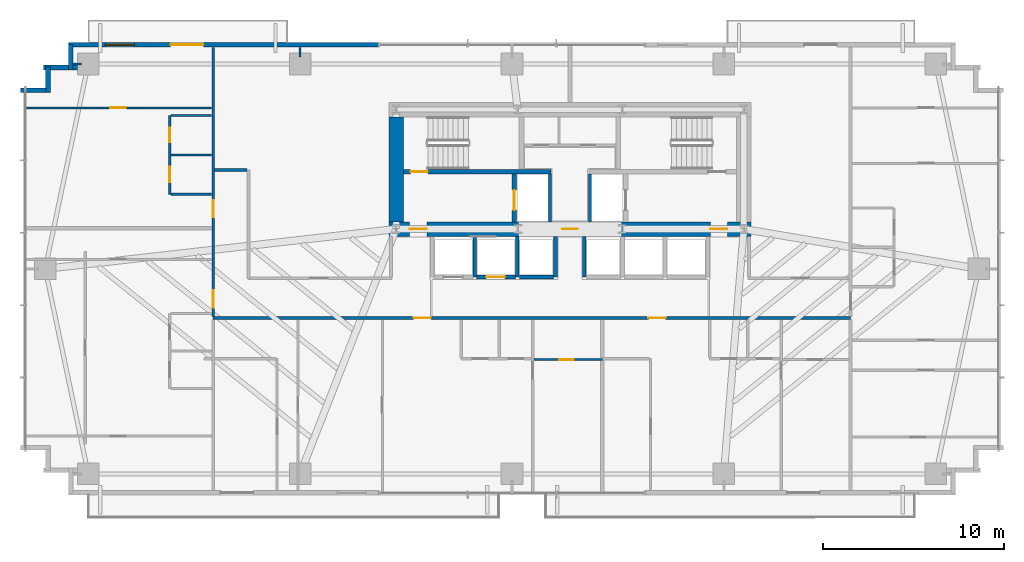
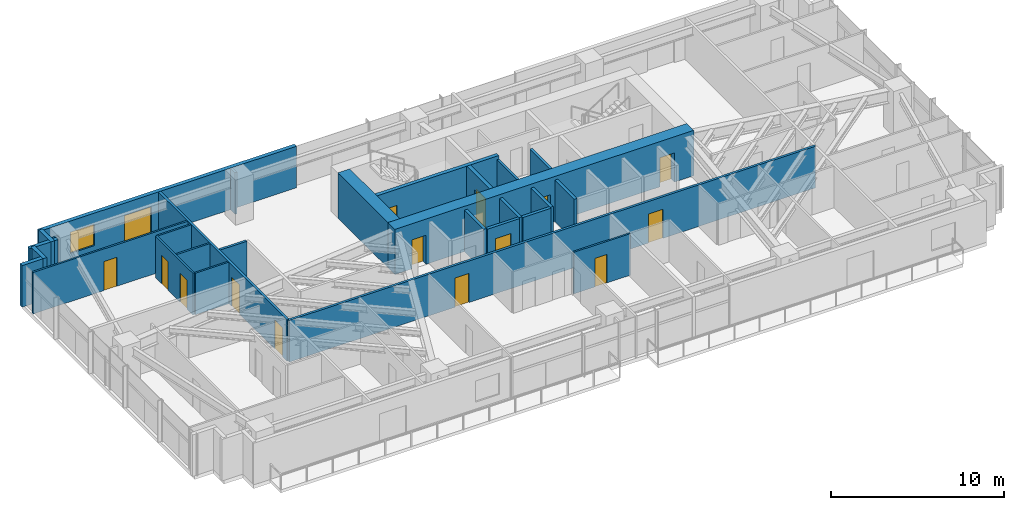
# One storey, part 20 of 25: 28 walls, 15 doors, 1 window, 16 openings.
"""IFC4 building model written with IfcOpenShell, lengths in metres."""

import ifcopenshell
import ifcopenshell.guid

model = None  # the IFC model being written
_history = None  # IfcOwnerHistory: only IFC2X3 demands one
_inside = {}  # id of a spatial element -> (the spatial element, [elements in it])
_under = {}  # id of a project, library or spatial element -> (it, [spatial elements below it])
_declared = {}  # id of a project -> (the project, [libraries it declares])
_typed = {}  # id of a type object -> (the type object, [elements of that type])
_made_of = {}  # id of a material, layer set ... -> (it, [elements and type objects made of it])


def new_model(schema):
    """Start an empty IFC model of exactly this schema.

    Asked for "IFC4X3", IfcOpenShell would pick the latest addendum, in which some entities
    have other attributes; the version numbers below select the first issue.
    IFC2X3 requires an IfcOwnerHistory on every rooted entity: one is made here for all.
    """
    global model, _history
    if schema == "IFC4X3":
        model = ifcopenshell.file(schema_version=(4, 3, 0, 0))
    else:
        model = ifcopenshell.file(schema=schema)
    _inside.clear()
    _under.clear()
    _declared.clear()
    _typed.clear()
    _made_of.clear()
    _history = None
    if model.schema == "IFC2X3":
        org = make("IfcOrganization", Name="unknown")
        user = make(
            "IfcPersonAndOrganization",
            ThePerson=make("IfcPerson", FamilyName="unknown"),
            TheOrganization=org,
        )
        app = make(
            "IfcApplication",
            ApplicationDeveloper=org,
            Version="unknown",
            ApplicationFullName="unknown",
            ApplicationIdentifier="unknown",
        )
        _history = make(
            "IfcOwnerHistory",
            OwningUser=user,
            OwningApplication=app,
            ChangeAction="ADDED",
            CreationDate=0,
        )
    return model


def make(cls, **values):
    """One entity of the class cls with the attributes given. An attribute that is None is left unset."""
    return model.create_entity(
        cls, **{name: value for name, value in values.items() if value is not None}
    )


def rooted(cls, **values):
    """An entity with a GlobalId (a new one), such as an element, a storey or a relation."""
    return make(cls, GlobalId=ifcopenshell.guid.new(), OwnerHistory=_history, **values)


def si_unit(unit_type, name, prefix=None):
    """IfcSIUnit, for example si_unit("LENGTHUNIT", "METRE", prefix="MILLI")."""
    return make("IfcSIUnit", UnitType=unit_type, Prefix=prefix, Name=name)


def assignment(units):
    """IfcUnitAssignment: the units of a project."""
    return None if units is None else make("IfcUnitAssignment", Units=units)


def point(xyz):
    """IfcCartesianPoint."""
    return None if xyz is None else make("IfcCartesianPoint", Coordinates=xyz)


def direction(xyz):
    """IfcDirection."""
    return None if xyz is None else make("IfcDirection", DirectionRatios=xyz)


def frame(location, z_axis=None, x_axis=None):
    """IfcAxis2Placement3D, a coordinate frame: its origin and axes. An axis left out is left unset."""
    return make(
        "IfcAxis2Placement3D",
        Location=point(location),
        Axis=direction(z_axis),
        RefDirection=direction(x_axis),
    )


def frame_2d(location, x_axis=None):
    """IfcAxis2Placement2D, a coordinate frame in the plane: its origin and x axis."""
    return make(
        "IfcAxis2Placement2D", Location=point(location), RefDirection=direction(x_axis)
    )


def origin():
    """The frame at (0, 0, 0) with its axes left unset."""
    return frame((0.0, 0.0, 0.0))


def place(relative_to, where):
    """IfcLocalPlacement: puts the frame where relative to a parent placement (None: the world)."""
    return make(
        "IfcLocalPlacement", PlacementRelTo=relative_to, RelativePlacement=where
    )


def context(
    kind, dimensions, precision=None, world=None, true_north=None, identifier=None
):
    """IfcGeometricRepresentationContext, for example the 3D "Model" context."""
    return make(
        "IfcGeometricRepresentationContext",
        ContextIdentifier=identifier,
        ContextType=kind,
        CoordinateSpaceDimension=dimensions,
        Precision=precision,
        WorldCoordinateSystem=world,
        TrueNorth=true_north,
    )


def subcontext(parent, identifier, kind, view, scale=None):
    """IfcGeometricRepresentationSubContext, for example "Body" below "Model"."""
    return make(
        "IfcGeometricRepresentationSubContext",
        ContextIdentifier=identifier,
        ContextType=kind,
        ParentContext=parent,
        TargetScale=scale,
        TargetView=view,
    )


def project(units=None, contexts=None):
    """IfcProject with its units and contexts."""
    return rooted(
        "IfcProject",
        Name="project",
        RepresentationContexts=contexts,
        UnitsInContext=assignment(units),
    )


def spatial(cls, under=None, at=None, **own):
    """A site, building, storey or space (cls), placed at a placement, below another one or the project."""
    s = rooted(cls, ObjectPlacement=at, **own)
    if under is not None:
        _under.setdefault(under.id(), (under, []))[1].append(s)
    return s


def profile(cls, at=None, kind="AREA", **sizes):
    """A parametric profile (cls). Its sizes go by their IFC names, for example OverallWidth=200.0."""
    return make(cls, ProfileType=kind, Position=at, **sizes)


def rectangle(**sizes):
    """IfcRectangleProfileDef."""
    return profile("IfcRectangleProfileDef", **sizes)


def extrude(swept, where, along, depth):
    """IfcExtrudedAreaSolid: the profile swept, set in the frame where, extruded along a direction by depth."""
    return make(
        "IfcExtrudedAreaSolid",
        SweptArea=swept,
        Position=where,
        ExtrudedDirection=direction(along),
        Depth=depth,
    )


def shape(context_of_items, identifier, shape_type, items):
    """IfcShapeRepresentation: the items that make up one representation, for example the "Body"."""
    return make(
        "IfcShapeRepresentation",
        ContextOfItems=context_of_items,
        RepresentationIdentifier=identifier,
        RepresentationType=shape_type,
        Items=items,
    )


def source(mapping_origin, context_of_items, identifier, shape_type, items):
    """IfcRepresentationMap: a shape defined once, which mapped items show again and again."""
    return make(
        "IfcRepresentationMap",
        MappingOrigin=mapping_origin,
        MappedRepresentation=shape(context_of_items, identifier, shape_type, items),
    )


def transform(
    local_origin,
    x_axis=None,
    y_axis=None,
    z_axis=None,
    scale=None,
    scale2=None,
    scale3=None,
    uniform=True,
):
    """IfcCartesianTransformationOperator3D, or its non-uniform kind. x_axis, y_axis, z_axis: its Axis1, 2, 3."""
    if uniform:
        return make(
            "IfcCartesianTransformationOperator3D",
            Axis1=direction(x_axis),
            Axis2=direction(y_axis),
            LocalOrigin=point(local_origin),
            Scale=scale,
            Axis3=direction(z_axis),
        )
    return make(
        "IfcCartesianTransformationOperator3DnonUniform",
        Axis1=direction(x_axis),
        Axis2=direction(y_axis),
        LocalOrigin=point(local_origin),
        Scale=scale,
        Axis3=direction(z_axis),
        Scale2=scale2,
        Scale3=scale3,
    )


def mapped(mapping_source, mapping_target):
    """IfcMappedItem: shows the shape of a source again, moved by a transform."""
    return make(
        "IfcMappedItem", MappingSource=mapping_source, MappingTarget=mapping_target
    )


def material(Name=None, Category=None):
    """IfcMaterial."""
    return make("IfcMaterial", Name=Name, Category=Category)


def layer(
    of_material, thickness, ventilated=None, Name=None, Category=None, Priority=None
):
    """IfcMaterialLayer: one layer of a wall or slab, of a material (None: an air gap)."""
    return make(
        "IfcMaterialLayer",
        Material=of_material,
        LayerThickness=thickness,
        IsVentilated=ventilated,
        Name=Name,
        Category=Category,
        Priority=Priority,
    )


def layer_set(layers, Name=None):
    """IfcMaterialLayerSet."""
    return make("IfcMaterialLayerSet", MaterialLayers=layers, LayerSetName=Name)


def made_of(thing, what):
    """Note that an element or type object is made of a material, layer set ...; save() writes the relation."""
    if what is not None:
        _made_of.setdefault(what.id(), (what, []))[1].append(thing)
    return thing


def type_object(cls, material=None, **own):
    """A type object (cls), such as IfcWallType, which elements share."""
    return made_of(rooted(cls, **own), material)


def type_shapes(of_type, sources):
    """Give a type object the sources (RepresentationMaps) that its elements show as mapped items."""
    of_type.RepresentationMaps = sources


def element(
    cls,
    number,
    at=None,
    inside=None,
    cuts=None,
    type_object=None,
    material=None,
    context=None,
    identifier="Body",
    shape_type=None,
    held_by="IfcProductDefinitionShape",
    body=None,
    shapes=None,
    **own,
):
    """One element of the class cls, such as IfcWall. Its Tag is "e" and its number.

    at: its placement. inside: the storey or other place that contains it. cuts: it is an
    opening in that element (IfcRelVoidsElement). A single representation is given by context,
    identifier, shape_type and body (its items); several are given by shapes. held_by: the class
    of the entity that holds the representations. save() writes the other relations.
    """
    e = rooted(cls, Tag="e%d" % number, ObjectPlacement=at, **own)
    if body is not None:
        shapes = [shape(context, identifier, shape_type, body)]
    if shapes is not None:
        e.Representation = make(held_by, Representations=shapes)
    if inside is not None:
        _inside.setdefault(inside.id(), (inside, []))[1].append(e)
    if cuts is not None:
        rooted(
            "IfcRelVoidsElement", RelatingBuildingElement=cuts, RelatedOpeningElement=e
        )
    if type_object is not None:
        _typed.setdefault(type_object.id(), (type_object, []))[1].append(e)
    return made_of(e, material)


def fill(opening, filler):
    """IfcRelFillsElement: the door or window that sits in an opening."""
    return rooted(
        "IfcRelFillsElement",
        RelatingOpeningElement=opening,
        RelatedBuildingElement=filler,
    )


def aggregate(whole, parts):
    """IfcRelAggregates: a whole, such as a stair, and the parts it consists of."""
    return rooted("IfcRelAggregates", RelatingObject=whole, RelatedObjects=parts)


def save(model, path):
    """Write the relations noted so far, then the file.

    IfcRelAggregates (storeys below a building ...), IfcRelContainedInSpatialStructure (elements
    in a storey), IfcRelDefinesByType, IfcRelAssociatesMaterial and IfcRelDeclares: one each for
    every whole, place, type object, material and project.
    """
    for whole, parts in _under.values():
        aggregate(whole, parts)
    for where, things in _inside.values():
        rooted(
            "IfcRelContainedInSpatialStructure",
            RelatedElements=things,
            RelatingStructure=where,
        )
    for kind, things in _typed.values():
        rooted("IfcRelDefinesByType", RelatedObjects=things, RelatingType=kind)
    for what, things in _made_of.values():
        rooted("IfcRelAssociatesMaterial", RelatedObjects=things, RelatingMaterial=what)
    for by, libraries in _declared.values():
        rooted("IfcRelDeclares", RelatingContext=by, RelatedDefinitions=libraries)
    model.write(path)


model = new_model("IFC4")

# Units and contexts
model_context = context("Model", 3, precision=1e-05, world=origin(), true_north=direction((0.0, 1.0)))
body_context = subcontext(model_context, "Body", "Model", "MODEL_VIEW")
ifc_project = project(units=[si_unit("LENGTHUNIT", "METRE"), si_unit("AREAUNIT", "SQUARE_METRE"), si_unit("VOLUMEUNIT", "CUBIC_METRE"), si_unit("PLANEANGLEUNIT", "RADIAN"), si_unit("MASSUNIT", "GRAM", prefix="KILO")], contexts=[model_context])

# Site, building, storey
site_placement = place(None, origin())
site = spatial("IfcSite", under=ifc_project, at=site_placement, CompositionType="ELEMENT")
building_placement = place(site_placement, origin())
building = spatial("IfcBuilding", under=site, at=building_placement, Name="Astriad Promenade Condominiums", CompositionType="ELEMENT")
storey_placement = place(building_placement, frame((0.0, 0.0, 32.60009765625)))
storey = spatial("IfcBuildingStorey", under=building, at=storey_placement, Name="L08", CompositionType="ELEMENT", Elevation=32.60009765625)

# Wall, openings, doors
ifc_material_1 = material(Name="Concrete C80/95", Category="concrete")
ifc_layer_1 = layer(ifc_material_1, 0.800048828125)
ifc_layer_set_1 = layer_set([ifc_layer_1], Name="Concrete C80/95")
wall_type_1 = type_object("IfcWallType", Name="CW-SHEAR-800", PredefinedType="SHEAR", material=ifc_layer_set_1)
wall_1_placement = place(storey_placement, frame((26.0, 17.39990234375, 0.0), z_axis=(0.0, 0.0, 1.0), x_axis=(1.0, 0.0, 0.0)))
wall_1 = element("IfcWall", 1, at=wall_1_placement, inside=storey, type_object=wall_type_1, Name="CW-CORE-S-L08", PredefinedType="SHEAR", context=body_context, shape_type="SweptSolid", body=[
    extrude(rectangle(XDim=20.0, YDim=0.800048828125, at=frame_2d((10.0, 0.0))), origin(), (0.0, 0.0, 1.0), 3.199951171875),
])
opening_1_placement = place(wall_1_placement, frame((1.14990234375, 0.0, 0.0)))
opening_1 = element("IfcOpeningElement", 2, at=opening_1_placement, cuts=wall_1, Name="Opening FD90-ST-095", PredefinedType="OPENING", context=body_context, shape_type="SweptSolid", body=[
    extrude(rectangle(XDim=0.949951171875, YDim=2.06005859375, at=frame_2d((0.47509765625, 1.030029296875))), frame((0.0, 0.409912109375, 0.0), z_axis=(0.0, -1.0, 0.0), x_axis=(1.0, 0.0, 0.0)), (0.0, 0.0, 1.0), 0.820068359375),
])
opening_2_placement = place(wall_1_placement, frame((9.580078125, 0.0, 0.0)))
opening_2 = element("IfcOpeningElement", 3, at=opening_2_placement, cuts=wall_1, Name="Opening FD60-ULOW-085", PredefinedType="OPENING", context=body_context, shape_type="SweptSolid", body=[
    extrude(rectangle(XDim=0.85009765625, YDim=2.0, at=frame_2d((0.425048828125, 1.0))), frame((0.0, 0.409912109375, 0.0), z_axis=(0.0, -1.0, 0.0), x_axis=(1.0, 0.0, 0.0)), (0.0, 0.0, 1.0), 0.820068359375),
])
opening_3_placement = place(wall_1_placement, frame((17.75, 0.0, 0.0)))
opening_3 = element("IfcOpeningElement", 4, at=opening_3_placement, cuts=wall_1, Name="Opening FD90-ST-095", PredefinedType="OPENING", context=body_context, shape_type="SweptSolid", body=[
    extrude(rectangle(XDim=0.949951171875, YDim=2.06005859375, at=frame_2d((0.47509765625, 1.030029296875))), frame((0.0, 0.409912109375, 0.0), z_axis=(0.0, -1.0, 0.0), x_axis=(1.0, 0.0, 0.0)), (0.0, 0.0, 1.0), 0.820068359375),
])
ifc_material_2 = material(Name="Fire-Rated Hollow Metal Stair Door")
door_type_1 = type_object("IfcDoorType", Name="FD90-ST-095", OperationType="NOTDEFINED", PredefinedType="DOOR", material=ifc_material_2)
shared_shape_1 = source(origin(), body_context, "Body", "SweptSolid", [
    extrude(rectangle(XDim=0.949951171875, YDim=2.06005859375, at=frame_2d((0.47509765625, 1.030029296875))), frame((0.0, 0.02490234375, 0.0), z_axis=(0.0, -1.0, 0.0), x_axis=(1.0, 0.0, 0.0)), (0.0, 0.0, 1.0), 0.050048828125),
])
type_shapes(door_type_1, [shared_shape_1])
door_1_placement = place(opening_1_placement, origin())
door_1 = element("IfcDoor", 5, at=door_1_placement, inside=storey, type_object=door_type_1, Name="D-FFW-L08", OperationType="SINGLE_SWING_LEFT", OverallHeight=2.06005859375, OverallWidth=0.949951171875, PredefinedType="DOOR", context=body_context, shape_type="MappedRepresentation", body=[
    mapped(shared_shape_1, transform((0.0, 0.0, 0.0), scale=1.0)),
])
fill(opening_1, door_1)
door_2_placement = place(opening_3_placement, origin())
door_2 = element("IfcDoor", 6, at=door_2_placement, inside=storey, type_object=door_type_1, Name="D-FFE-L08", OperationType="SINGLE_SWING_RIGHT", OverallHeight=2.06005859375, OverallWidth=0.949951171875, PredefinedType="DOOR", context=body_context, shape_type="MappedRepresentation", body=[
    mapped(shared_shape_1, transform((0.0, 0.0, 0.0), scale=1.0)),
])
fill(opening_3, door_2)
ifc_material_3 = material(Name="Solid-Core Low-Headroom Fire Door")
door_type_2 = type_object("IfcDoorType", Name="FD60-ULOW-085", OperationType="NOTDEFINED", PredefinedType="DOOR", material=ifc_material_3)
shared_shape_2 = source(origin(), body_context, "Body", "SweptSolid", [
    extrude(rectangle(XDim=0.85009765625, YDim=2.0, at=frame_2d((0.425048828125, 1.0))), frame((0.0, 0.02490234375, 0.0), z_axis=(0.0, -1.0, 0.0), x_axis=(1.0, 0.0, 0.0)), (0.0, 0.0, 1.0), 0.050048828125),
])
type_shapes(door_type_2, [shared_shape_2])
door_3_placement = place(opening_2_placement, origin())
door_3 = element("IfcDoor", 7, at=door_3_placement, inside=storey, type_object=door_type_2, Name="D-CSL-L08", OperationType="SINGLE_SWING_RIGHT", OverallHeight=2.0, OverallWidth=0.85009765625, PredefinedType="DOOR", context=body_context, shape_type="MappedRepresentation", body=[
    mapped(shared_shape_2, transform((0.0, 0.0, 0.0), scale=1.0)),
])
fill(opening_2, door_3)

# Wall
wall_2_placement = place(storey_placement, frame((26.39990234375, 17.802001953125, 0.0), z_axis=(0.0, 0.0, 1.0), x_axis=(0.0, 1.0, 0.0)))
element("IfcWall", 8, at=wall_2_placement, inside=storey, type_object=wall_type_1, Name="CW-CORE-W-L08", PredefinedType="SHEAR", context=body_context, shape_type="SweptSolid", body=[
    extrude(rectangle(XDim=5.7958984375, YDim=0.800048828125, at=frame_2d((2.89794921875, 0.0))), origin(), (0.0, 0.0, 1.0), 3.199951171875),
])

# Wall, opening, door
ifc_material_4 = material(Name="Concrete C50/60", Category="concrete")
ifc_layer_2 = layer(ifc_material_4, 0.25)
ifc_layer_set_2 = layer_set([ifc_layer_2], Name="Concrete C50/60")
wall_type_2 = type_object("IfcWallType", Name="WALL-CORE-INT-250", PredefinedType="SOLIDWALL", material=ifc_layer_set_2)
wall_3_placement = place(storey_placement, frame((26.802001953125, 20.574951171875, 0.0), z_axis=(0.0, 0.0, 1.0), x_axis=(1.0, 0.0, 0.0)))
wall_3 = element("IfcWall", 9, at=wall_3_placement, inside=storey, type_object=wall_type_2, Name="CW-INT-H1-L08", PredefinedType="SOLIDWALL", context=body_context, shape_type="SweptSolid", body=[
    extrude(rectangle(XDim=8.14794921875, YDim=0.25, at=frame_2d((4.073974609375, 0.0))), origin(), (0.0, 0.0, 1.0), 3.199951171875),
])
opening_4_placement = place(wall_3_placement, frame((0.39794921875, 0.0, 0.0)))
opening_4 = element("IfcOpeningElement", 10, at=opening_4_placement, cuts=wall_3, Name="Opening FD90-ST-095", PredefinedType="OPENING", context=body_context, shape_type="SweptSolid", body=[
    extrude(rectangle(XDim=0.949951171875, YDim=2.06005859375, at=frame_2d((0.47509765625, 1.030029296875))), frame((0.0, 0.135009765625, 0.0), z_axis=(0.0, -1.0, 0.0), x_axis=(1.0, 0.0, 0.0)), (0.0, 0.0, 1.0), 0.27001953125),
])
door_4_placement = place(opening_4_placement, origin())
door_4 = element("IfcDoor", 11, at=door_4_placement, inside=storey, type_object=door_type_1, Name="D-ST1-L08", OperationType="SINGLE_SWING_LEFT", OverallHeight=2.06005859375, OverallWidth=0.949951171875, PredefinedType="DOOR", context=body_context, shape_type="MappedRepresentation", body=[
    mapped(shared_shape_1, transform((0.0, 0.0, 0.0), scale=1.0)),
])
fill(opening_4, door_4)

wall_4_placement = place(storey_placement, frame((32.925048828125, 17.802001953125, 0.0), z_axis=(0.0, 0.0, 1.0), x_axis=(0.0, 1.0, 0.0)))
wall_4 = element("IfcWall", 12, at=wall_4_placement, inside=storey, type_object=wall_type_2, Name="CW-FFL1-W-L08", PredefinedType="SOLIDWALL", context=body_context, shape_type="SweptSolid", body=[
    extrude(rectangle(XDim=2.64599609375, YDim=0.25, at=frame_2d((1.322998046875, 0.0))), origin(), (0.0, 0.0, 1.0), 3.199951171875),
])
opening_5_placement = place(wall_4_placement, frame((0.64794921875, 0.0, 0.0)))
opening_5 = element("IfcOpeningElement", 13, at=opening_5_placement, cuts=wall_4, Name="Opening LD-FFL-1122", PredefinedType="OPENING", context=body_context, shape_type="SweptSolid", body=[
    extrude(rectangle(XDim=1.10009765625, YDim=2.080078125, at=frame_2d((0.550048828125, 1.0400390625))), frame((0.0, 0.135009765625, 0.0), z_axis=(0.0, -1.0, 0.0), x_axis=(1.0, 0.0, 0.0)), (0.0, 0.0, 1.0), 0.27001953125),
])
ifc_material_5 = material(Name="Brushed Stainless Steel Fire Elevator Landing Door", Category="steel")
door_type_3 = type_object("IfcDoorType", Name="LD-FFL-1122", OperationType="NOTDEFINED", PredefinedType="DOOR", material=ifc_material_5)
shared_shape_3 = source(origin(), body_context, "Body", "SweptSolid", [
    extrude(rectangle(XDim=1.10009765625, YDim=2.080078125, at=frame_2d((0.550048828125, 1.0400390625))), frame((0.0, 0.02490234375, 0.0), z_axis=(0.0, -1.0, 0.0), x_axis=(1.0, 0.0, 0.0)), (0.0, 0.0, 1.0), 0.050048828125),
])
type_shapes(door_type_3, [shared_shape_3])
door_5_placement = place(opening_5_placement, origin())
door_5 = element("IfcDoor", 14, at=door_5_placement, inside=storey, type_object=door_type_3, Name="Elevator Landing Door FFL-1 (L08)", OperationType="SLIDING_TO_LEFT", OverallHeight=2.080078125, OverallWidth=1.10009765625, PredefinedType="DOOR", context=body_context, shape_type="MappedRepresentation", body=[
    mapped(shared_shape_3, transform((0.0, 0.0, 0.0), scale=1.0)),
])
fill(opening_5, door_5)

# Walls
ifc_material_6 = material(Name="Fire-Rated Gypsum Partition")
ifc_layer_3 = layer(ifc_material_6, 0.159912109375)
ifc_layer_set_3 = layer_set([ifc_layer_3], Name="Fire-Rated Gypsum Partition")
wall_type_3 = type_object("IfcWallType", Name="WALL-CORR-160", PredefinedType="PARTITIONING", material=ifc_layer_set_3)
for number, where, z_axis, x_axis, name in (
    (15, (34.89990234375, 17.802001953125, 0.0), (0.0, 0.0, 1.0), (0.0, 1.0, 0.0), "CW-FFL1-E-L08"),
    (16, (37.10009765625, 17.802001953125, 0.0), (0.0, 0.0, 1.0), (0.0, 1.0, 0.0), "CW-FFL2-W-L08"),
):
    element("IfcWall", number, at=place(storey_placement, frame(where, z_axis=z_axis, x_axis=x_axis)), inside=storey, type_object=wall_type_3, Name=name, PredefinedType="PARTITIONING", context=body_context, shape_type="SweptSolid", body=[
        extrude(rectangle(XDim=2.64599609375, YDim=0.159912109375, at=frame_2d((1.322998046875, 0.0))), origin(), (0.0, 0.0, 1.0), 2.93994140625),
    ])

# Wall, openings, doors
wall_5_placement = place(storey_placement, frame((16.300048828125, 12.489990234375, 0.0), z_axis=(0.0, 0.0, 1.0), x_axis=(1.0, 0.0, 0.0)))
wall_5 = element("IfcWall", 17, at=wall_5_placement, inside=storey, type_object=wall_type_3, Name="PT-COR-S-L08", PredefinedType="PARTITIONING", context=body_context, shape_type="SweptSolid", body=[
    extrude(rectangle(XDim=35.199951171875, YDim=0.159912109375, at=frame_2d((17.60009765625, 0.0))), origin(), (0.0, 0.0, 1.0), 2.93994140625),
])
opening_6_placement = place(wall_5_placement, frame((11.072021484375, 0.0, 0.0)))
opening_6 = element("IfcOpeningElement", 18, at=opening_6_placement, cuts=wall_5, Name="Opening FD60-APT-095", PredefinedType="OPENING", context=body_context, shape_type="SweptSolid", body=[
    extrude(rectangle(XDim=0.949951171875, YDim=2.06005859375, at=frame_2d((0.47509765625, 1.030029296875))), frame((0.0, 0.08984375, 0.0), z_axis=(0.0, -1.0, 0.0), x_axis=(1.0, 0.0, 0.0)), (0.0, 0.0, 1.0), 0.179931640625),
])
opening_7_placement = place(wall_5_placement, frame((24.031982421875, 0.0, 0.0)))
opening_7 = element("IfcOpeningElement", 19, at=opening_7_placement, cuts=wall_5, Name="Opening FD60-APT-095", PredefinedType="OPENING", context=body_context, shape_type="SweptSolid", body=[
    extrude(rectangle(XDim=0.949951171875, YDim=2.06005859375, at=frame_2d((0.47509765625, 1.030029296875))), frame((0.0, 0.08984375, 0.0), z_axis=(0.0, -1.0, 0.0), x_axis=(1.0, 0.0, 0.0)), (0.0, 0.0, 1.0), 0.179931640625),
])
ifc_material_7 = material(Name="Solid-Core Acoustic Timber Residence Entry Door", Category="wood")
door_type_4 = type_object("IfcDoorType", Name="FD60-APT-095", OperationType="NOTDEFINED", PredefinedType="DOOR", material=ifc_material_7)
shared_shape_4 = source(origin(), body_context, "Body", "SweptSolid", [
    extrude(rectangle(XDim=0.949951171875, YDim=2.06005859375, at=frame_2d((0.47509765625, 1.030029296875))), frame((0.0, 0.02490234375, 0.0), z_axis=(0.0, -1.0, 0.0), x_axis=(1.0, 0.0, 0.0)), (0.0, 0.0, 1.0), 0.050048828125),
])
type_shapes(door_type_4, [shared_shape_4])
door_6_placement = place(opening_6_placement, origin())
door_6 = element("IfcDoor", 20, at=door_6_placement, inside=storey, type_object=door_type_4, Name="D-ENT-L08-S1", OperationType="SINGLE_SWING_LEFT", OverallHeight=2.06005859375, OverallWidth=0.949951171875, PredefinedType="DOOR", context=body_context, shape_type="MappedRepresentation", body=[
    mapped(shared_shape_4, transform((0.0, 0.0, 0.0), scale=1.0)),
])
fill(opening_6, door_6)
door_7_placement = place(opening_7_placement, origin())
door_7 = element("IfcDoor", 21, at=door_7_placement, inside=storey, type_object=door_type_4, Name="D-ENT-L08-S2", OperationType="SINGLE_SWING_LEFT", OverallHeight=2.06005859375, OverallWidth=0.949951171875, PredefinedType="DOOR", context=body_context, shape_type="MappedRepresentation", body=[
    mapped(shared_shape_4, transform((0.0, 0.0, 0.0), scale=1.0)),
])
fill(opening_7, door_7)

wall_6_placement = place(storey_placement, frame((16.300048828125, 12.572021484375, 0.0), z_axis=(0.0, 0.0, 1.0), x_axis=(0.0, 1.0, 0.0)))
wall_6 = element("IfcWall", 22, at=wall_6_placement, inside=storey, type_object=wall_type_3, Name="PT-COR-W-L08-S2", PredefinedType="PARTITIONING", context=body_context, shape_type="SweptSolid", body=[
    extrude(rectangle(XDim=14.865966796875, YDim=0.159912109375, at=frame_2d((7.43310546875, 0.0))), origin(), (0.0, 0.0, 1.0), 2.93994140625),
])
opening_8_placement = place(wall_6_placement, frame((0.492919921875, 0.0, 0.0)))
opening_8 = element("IfcOpeningElement", 23, at=opening_8_placement, cuts=wall_6, Name="Opening FD60-APT-095", PredefinedType="OPENING", context=body_context, shape_type="SweptSolid", body=[
    extrude(rectangle(XDim=0.949951171875, YDim=2.06005859375, at=frame_2d((0.47509765625, 1.030029296875))), frame((0.0, 0.08984375, 0.0), z_axis=(0.0, -1.0, 0.0), x_axis=(1.0, 0.0, 0.0)), (0.0, 0.0, 1.0), 0.179931640625),
])
opening_9_placement = place(wall_6_placement, frame((5.472900390625, 0.0, 0.0)))
opening_9 = element("IfcOpeningElement", 24, at=opening_9_placement, cuts=wall_6, Name="Opening FD60-APT-095", PredefinedType="OPENING", context=body_context, shape_type="SweptSolid", body=[
    extrude(rectangle(XDim=0.949951171875, YDim=2.06005859375, at=frame_2d((0.47509765625, 1.030029296875))), frame((0.0, 0.08984375, 0.0), z_axis=(0.0, -1.0, 0.0), x_axis=(1.0, 0.0, 0.0)), (0.0, 0.0, 1.0), 0.179931640625),
])
door_8_placement = place(opening_8_placement, origin())
door_8 = element("IfcDoor", 25, at=door_8_placement, inside=storey, type_object=door_type_4, Name="D-ENT-L08-W1", OperationType="SINGLE_SWING_LEFT", OverallHeight=2.06005859375, OverallWidth=0.949951171875, PredefinedType="DOOR", context=body_context, shape_type="MappedRepresentation", body=[
    mapped(shared_shape_4, transform((0.0, 0.0, 0.0), scale=1.0)),
])
fill(opening_8, door_8)
door_9_placement = place(opening_9_placement, origin())
door_9 = element("IfcDoor", 26, at=door_9_placement, inside=storey, type_object=door_type_4, Name="D-ENT-L08-W2", OperationType="SINGLE_SWING_LEFT", OverallHeight=2.06005859375, OverallWidth=0.949951171875, PredefinedType="DOOR", context=body_context, shape_type="MappedRepresentation", body=[
    mapped(shared_shape_4, transform((0.0, 0.0, 0.0), scale=1.0)),
])
fill(opening_9, door_9)

# Walls
wall_7_placement = place(storey_placement, frame((16.382080078125, 20.64990234375, 0.0), z_axis=(0.0, 0.0, 1.0), x_axis=(1.0, 0.0, 0.0)))
element("IfcWall", 27, at=wall_7_placement, inside=storey, type_object=wall_type_3, Name="PT-WALC-N-L08", PredefinedType="PARTITIONING", context=body_context, shape_type="SweptSolid", body=[
    extrude(rectangle(XDim=1.785888671875, YDim=0.159912109375, at=frame_2d((0.89306640625, 0.0))), origin(), (0.0, 0.0, 1.0), 2.93994140625),
])
ifc_material_8 = material(Name="Precast concrete C50/60", Category="concrete")
ifc_layer_4 = layer(ifc_material_8, 0.260009765625)
ifc_layer_set_4 = layer_set([ifc_layer_4], Name="Precast concrete C50/60")
wall_type_4 = type_object("IfcWallType", Name="WALL-EXT-TWR-260", PredefinedType="STANDARD", material=ifc_layer_set_4)
for number, where, z_axis, x_axis, name in (
    (28, (5.669921875, 25.070068359375, 0.0), (0.0, 0.0, 1.0), (1.0, 0.0, 0.0), "W-SER-L08-04"),
    (29, (7.179931640625, 24.93994140625, 0.0), (0.0, 0.0, 1.0), (0.0, 1.0, 0.0), "W-SER-L08-05"),
):
    element("IfcWall", number, at=place(storey_placement, frame(where, z_axis=z_axis, x_axis=x_axis)), inside=storey, type_object=wall_type_4, Name=name, PredefinedType="STANDARD", context=body_context, shape_type="SweptSolid", body=[
        extrude(rectangle(XDim=1.39501953125, YDim=0.260009765625, at=frame_2d((0.697509765625, 0.0))), origin(), (0.0, 0.0, 1.0), 2.93994140625),
    ])
wall_8_placement = place(storey_placement, frame((6.919921875, 26.320068359375, 0.0), z_axis=(0.0, 0.0, 1.0), x_axis=(1.0, 0.0, 0.0)))
element("IfcWall", 30, at=wall_8_placement, inside=storey, type_object=wall_type_4, Name="W-SER-L08-06", PredefinedType="STANDARD", context=body_context, shape_type="SweptSolid", body=[
    extrude(rectangle(XDim=1.878173828125, YDim=0.260009765625, at=frame_2d((0.93896484375, 0.0))), origin(), (0.0, 0.0, 1.0), 2.93994140625),
])
wall_9_placement = place(storey_placement, frame((8.429931640625, 26.18994140625, 0.0), z_axis=(0.0, 0.0, 1.0), x_axis=(0.0, 1.0, 0.0)))
element("IfcWall", 31, at=wall_9_placement, inside=storey, type_object=wall_type_4, Name="W-SER-L08-07", PredefinedType="STANDARD", context=body_context, shape_type="SweptSolid", body=[
    extrude(rectangle(XDim=1.39501953125, YDim=0.260009765625, at=frame_2d((0.697509765625, 0.0))), origin(), (0.0, 0.0, 1.0), 2.93994140625),
])

# Wall, openings, door, window
wall_10_placement = place(storey_placement, frame((8.300048828125, 27.570068359375, 0.0), z_axis=(0.0, 0.0, 1.0), x_axis=(1.0, 0.0, 0.0)))
wall_10 = element("IfcWall", 32, at=wall_10_placement, inside=storey, type_object=wall_type_4, Name="W-EXT-L08-N1", PredefinedType="STANDARD", context=body_context, shape_type="SweptSolid", body=[
    extrude(rectangle(XDim=17.14990234375, YDim=0.260009765625, at=frame_2d((8.574951171875, 0.0))), origin(), (0.0, 0.0, 1.0), 2.93994140625),
])
opening_10_placement = place(wall_10_placement, frame((5.654052734375, 0.0, 0.0)))
opening_10 = element("IfcOpeningElement", 33, at=opening_10_placement, cuts=wall_10, Name="Opening BD-1822-SLD", PredefinedType="OPENING", context=body_context, shape_type="SweptSolid", body=[
    extrude(rectangle(XDim=1.800048828125, YDim=2.06005859375, at=frame_2d((0.89990234375, 1.030029296875))), frame((0.0, 0.139892578125, 0.0), z_axis=(0.0, -1.0, 0.0), x_axis=(1.0, 0.0, 0.0)), (0.0, 0.0, 1.0), 0.280029296875),
])
opening_11_placement = place(wall_10_placement, frame((2.050048828125, 0.0, 0.64990234375)))
opening_11 = element("IfcOpeningElement", 34, at=opening_11_placement, cuts=wall_10, Name="Opening WIN-TWR-1620", PredefinedType="OPENING", context=body_context, shape_type="SweptSolid", body=[
    extrude(rectangle(XDim=1.60009765625, YDim=1.5, at=frame_2d((0.800048828125, 0.75))), frame((0.0, 0.139892578125, 0.0), z_axis=(0.0, -1.0, 0.0), x_axis=(1.0, 0.0, 0.0)), (0.0, 0.0, 1.0), 0.280029296875),
])
ifc_material_9 = material(Name="Thermally Broken Aluminium Sliding Balcony Door", Category="aluminium")
door_type_5 = type_object("IfcDoorType", Name="BD-1822-SLD", OperationType="NOTDEFINED", PredefinedType="DOOR", material=ifc_material_9)
shared_shape_5 = source(origin(), body_context, "Body", "SweptSolid", [
    extrude(rectangle(XDim=1.800048828125, YDim=2.06005859375, at=frame_2d((0.89990234375, 1.030029296875))), frame((0.0, 0.02490234375, 0.0), z_axis=(0.0, -1.0, 0.0), x_axis=(1.0, 0.0, 0.0)), (0.0, 0.0, 1.0), 0.050048828125),
])
type_shapes(door_type_5, [shared_shape_5])
door_10_placement = place(opening_10_placement, origin())
door_10 = element("IfcDoor", 35, at=door_10_placement, inside=storey, type_object=door_type_5, Name="BD-L08-NW", OperationType="SLIDING_TO_LEFT", OverallHeight=2.06005859375, OverallWidth=1.800048828125, PredefinedType="DOOR", context=body_context, shape_type="MappedRepresentation", body=[
    mapped(shared_shape_5, transform((0.0, 0.0, 0.0), scale=1.0)),
])
fill(opening_10, door_10)
ifc_material_10 = material(Name="Dark Tinted Triple-Glazed Aluminium Window", Category="aluminium")
window_type = type_object("IfcWindowType", Name="WIN-TWR-1620", PartitioningType="SINGLE_PANEL", PredefinedType="WINDOW", material=ifc_material_10)
shared_shape_6 = source(origin(), body_context, "Body", "SweptSolid", [
    extrude(rectangle(XDim=1.60009765625, YDim=1.5, at=frame_2d((0.800048828125, 0.75))), frame((0.0, 0.030029296875, 0.0), z_axis=(0.0, -1.0, 0.0), x_axis=(1.0, 0.0, 0.0)), (0.0, 0.0, 1.0), 0.06005859375),
])
type_shapes(window_type, [shared_shape_6])
window_placement = place(opening_11_placement, origin())
window = element("IfcWindow", 36, at=window_placement, inside=storey, type_object=window_type, Name="WIN-L08-NW", OverallHeight=1.5, OverallWidth=1.60009765625, PartitioningType="SINGLE_PANEL", PredefinedType="WINDOW", context=body_context, shape_type="MappedRepresentation", body=[
    mapped(shared_shape_6, transform((0.0, 0.0, 0.0), scale=1.0)),
])
fill(opening_11, window)

# Wall, opening, door
ifc_material_11 = material(Name="Acoustic Metal-Stud Gypsum Partition")
ifc_layer_5 = layer(ifc_material_11, 0.1201171875)
ifc_layer_set_5 = layer_set([ifc_layer_5], Name="Acoustic Metal-Stud Gypsum Partition")
wall_type_5 = type_object("IfcWallType", Name="WALL-PART-120", PredefinedType="PARTITIONING", material=ifc_layer_set_5)
wall_11_placement = place(storey_placement, frame((34.006103515625, 10.18994140625, 0.0), z_axis=(0.0, 0.0, 1.0), x_axis=(1.0, 0.0, 0.0)))
wall_11 = element("IfcWall", 37, at=wall_11_placement, inside=storey, type_object=wall_type_5, Name="PT-L08-S1-ENS", PredefinedType="PARTITIONING", context=body_context, shape_type="SweptSolid", body=[
    extrude(rectangle(XDim=3.787841796875, YDim=0.1201171875, at=frame_2d((1.89404296875, 0.0))), origin(), (0.0, 0.0, 1.0), 2.93994140625),
])
opening_12_placement = place(wall_11_placement, frame((1.4130859375, 0.0, 0.0)))
opening_12 = element("IfcOpeningElement", 38, at=opening_12_placement, cuts=wall_11, Name="Opening D-WET-080", PredefinedType="OPENING", context=body_context, shape_type="SweptSolid", body=[
    extrude(rectangle(XDim=0.800048828125, YDim=2.02001953125, at=frame_2d((0.39990234375, 1.010009765625))), frame((0.0, 0.070068359375, 0.0), z_axis=(0.0, -1.0, 0.0), x_axis=(1.0, 0.0, 0.0)), (0.0, 0.0, 1.0), 0.14013671875),
])
ifc_material_12 = material(Name="Moisture-Resistant Timber Bathroom Door", Category="wood")
door_type_6 = type_object("IfcDoorType", Name="D-WET-080", OperationType="NOTDEFINED", PredefinedType="DOOR", material=ifc_material_12)
shared_shape_7 = source(origin(), body_context, "Body", "SweptSolid", [
    extrude(rectangle(XDim=0.800048828125, YDim=2.02001953125, at=frame_2d((0.39990234375, 1.010009765625))), frame((0.0, 0.02490234375, 0.0), z_axis=(0.0, -1.0, 0.0), x_axis=(1.0, 0.0, 0.0)), (0.0, 0.0, 1.0), 0.050048828125),
])
type_shapes(door_type_6, [shared_shape_7])
door_11_placement = place(opening_12_placement, origin())
door_11 = element("IfcDoor", 39, at=door_11_placement, inside=storey, type_object=door_type_6, Name="D-ENS-L08-S1", OperationType="SINGLE_SWING_LEFT", OverallHeight=2.02001953125, OverallWidth=0.800048828125, PredefinedType="DOOR", context=body_context, shape_type="MappedRepresentation", body=[
    mapped(shared_shape_7, transform((0.0, 0.0, 0.0), scale=1.0)),
])
fill(opening_12, door_11)

# Wall, openings, doors
wall_12_placement = place(storey_placement, frame((13.89990234375, 19.320068359375, 0.0), z_axis=(0.0, 0.0, 1.0), x_axis=(0.0, 1.0, 0.0)))
wall_12 = element("IfcWall", 40, at=wall_12_placement, inside=storey, type_object=wall_type_5, Name="PT-L08-W2-PV", PredefinedType="PARTITIONING", context=body_context, shape_type="SweptSolid", body=[
    extrude(rectangle(XDim=4.349853515625, YDim=0.1201171875, at=frame_2d((2.1748046875, 0.0))), origin(), (0.0, 0.0, 1.0), 2.93994140625),
])
opening_13_placement = place(wall_12_placement, frame((0.662109375, 0.0, 0.0)))
opening_13 = element("IfcOpeningElement", 41, at=opening_13_placement, cuts=wall_12, Name="Opening D-INT-085", PredefinedType="OPENING", context=body_context, shape_type="SweptSolid", body=[
    extrude(rectangle(XDim=0.85009765625, YDim=2.050048828125, at=frame_2d((0.425048828125, 1.02490234375))), frame((0.0, 0.070068359375, 0.0), z_axis=(0.0, -1.0, 0.0), x_axis=(1.0, 0.0, 0.0)), (0.0, 0.0, 1.0), 0.14013671875),
])
opening_14_placement = place(wall_12_placement, frame((2.863037109375, 0.0, 0.0)))
opening_14 = element("IfcOpeningElement", 42, at=opening_14_placement, cuts=wall_12, Name="Opening D-WET-080", PredefinedType="OPENING", context=body_context, shape_type="SweptSolid", body=[
    extrude(rectangle(XDim=0.800048828125, YDim=2.02001953125, at=frame_2d((0.39990234375, 1.010009765625))), frame((0.0, 0.070068359375, 0.0), z_axis=(0.0, -1.0, 0.0), x_axis=(1.0, 0.0, 0.0)), (0.0, 0.0, 1.0), 0.14013671875),
])
door_12_placement = place(opening_14_placement, origin())
door_12 = element("IfcDoor", 43, at=door_12_placement, inside=storey, type_object=door_type_6, Name="D-BTH-L08-W2", OperationType="SINGLE_SWING_LEFT", OverallHeight=2.02001953125, OverallWidth=0.800048828125, PredefinedType="DOOR", context=body_context, shape_type="MappedRepresentation", body=[
    mapped(shared_shape_7, transform((0.0, 0.0, 0.0), scale=1.0)),
])
fill(opening_14, door_12)
ifc_material_13 = material(Name="Painted Solid-Core Timber Room Door", Category="wood")
door_type_7 = type_object("IfcDoorType", Name="D-INT-085", OperationType="NOTDEFINED", PredefinedType="DOOR", material=ifc_material_13)
shared_shape_8 = source(origin(), body_context, "Body", "SweptSolid", [
    extrude(rectangle(XDim=0.85009765625, YDim=2.050048828125, at=frame_2d((0.425048828125, 1.02490234375))), frame((0.0, 0.02490234375, 0.0), z_axis=(0.0, -1.0, 0.0), x_axis=(1.0, 0.0, 0.0)), (0.0, 0.0, 1.0), 0.050048828125),
])
type_shapes(door_type_7, [shared_shape_8])
door_13_placement = place(opening_13_placement, origin())
door_13 = element("IfcDoor", 44, at=door_13_placement, inside=storey, type_object=door_type_7, Name="D-KIT-L08-W2", OperationType="SINGLE_SWING_RIGHT", OverallHeight=2.050048828125, OverallWidth=0.85009765625, PredefinedType="DOOR", context=body_context, shape_type="MappedRepresentation", body=[
    mapped(shared_shape_8, transform((0.0, 0.0, 0.0), scale=1.0)),
])
fill(opening_13, door_13)

# Walls
for number, where, z_axis, x_axis, name in (
    (45, (13.9619140625, 21.4951171875, 0.0), (0.0, 0.0, 1.0), (1.0, 0.0, 0.0), "PT-L08-W2-PM"),
    (46, (13.9619140625, 19.320068359375, 0.0), (0.0, 0.0, 1.0), (1.0, 0.0, 0.0), "PT-L08-W2-PS"),
    (47, (13.9619140625, 23.669921875, 0.0), (0.0, 0.0, 1.0), (1.0, 0.0, 0.0), "PT-L08-W2-PN"),
):
    element("IfcWall", number, at=place(storey_placement, frame(where, z_axis=z_axis, x_axis=x_axis)), inside=storey, type_object=wall_type_5, Name=name, PredefinedType="PARTITIONING", context=body_context, shape_type="SweptSolid", body=[
        extrude(rectangle(XDim=2.256103515625, YDim=0.1201171875, at=frame_2d((1.1279296875, 0.0))), origin(), (0.0, 0.0, 1.0), 2.93994140625),
    ])

# Wall, opening, door
wall_13_placement = place(storey_placement, frame((5.8798828125, 24.090087890625, 0.0), z_axis=(0.0, 0.0, 1.0), x_axis=(1.0, 0.0, 0.0)))
wall_13 = element("IfcWall", 48, at=wall_13_placement, inside=storey, type_object=wall_type_5, Name="PT-L08-W2-B1", PredefinedType="PARTITIONING", context=body_context, shape_type="SweptSolid", body=[
    extrude(rectangle(XDim=10.338134765625, YDim=0.1201171875, at=frame_2d((5.1689453125, 0.0))), origin(), (0.0, 0.0, 1.0), 2.93994140625),
])
opening_15_placement = place(wall_13_placement, frame((4.735107421875, 0.0, 0.0)))
opening_15 = element("IfcOpeningElement", 49, at=opening_15_placement, cuts=wall_13, Name="Opening D-INT-085", PredefinedType="OPENING", context=body_context, shape_type="SweptSolid", body=[
    extrude(rectangle(XDim=0.85009765625, YDim=2.050048828125, at=frame_2d((0.425048828125, 1.02490234375))), frame((0.0, 0.070068359375, 0.0), z_axis=(0.0, -1.0, 0.0), x_axis=(1.0, 0.0, 0.0)), (0.0, 0.0, 1.0), 0.14013671875),
])
door_14_placement = place(opening_15_placement, origin())
door_14 = element("IfcDoor", 50, at=door_14_placement, inside=storey, type_object=door_type_7, Name="D-BD1-L08-W2", OperationType="SINGLE_SWING_RIGHT", OverallHeight=2.050048828125, OverallWidth=0.85009765625, PredefinedType="DOOR", context=body_context, shape_type="MappedRepresentation", body=[
    mapped(shared_shape_8, transform((0.0, 0.0, 0.0), scale=1.0)),
])
fill(opening_15, door_14)

# Walls
wall_14_placement = place(storey_placement, frame((9.02001953125, 26.52001953125, 0.0), z_axis=(0.0, 0.0, 1.0), x_axis=(-1.0, 0.0, 0.0)))
element("IfcWall", 51, at=wall_14_placement, inside=storey, type_object=wall_type_5, Name="PT-PIL-L08-PC06-13", PredefinedType="PARTITIONING", context=body_context, shape_type="SweptSolid", body=[
    extrude(rectangle(XDim=0.4580078125, YDim=0.1201171875, at=frame_2d((0.22900390625, 0.0))), origin(), (0.0, 0.0, 1.0), 2.93994140625),
])
wall_15_placement = place(storey_placement, frame((21.10009765625, 26.89990234375, 0.0), z_axis=(0.0, 0.0, 1.0), x_axis=(0.0, 1.0, 0.0)))
element("IfcWall", 52, at=wall_15_placement, inside=storey, type_object=wall_type_5, Name="PT-PIL-L08-PC07-14", PredefinedType="PARTITIONING", context=body_context, shape_type="SweptSolid", body=[
    extrude(rectangle(XDim=0.5380859375, YDim=0.1201171875, at=frame_2d((0.26904296875, 0.0))), origin(), (0.0, 0.0, 1.0), 2.93994140625),
])
ifc_material_14 = material(Name="Gypsum Shaftliner Assembly")
ifc_layer_6 = layer(ifc_material_14, 0.199951171875)
ifc_layer_set_6 = layer_set([ifc_layer_6], Name="Gypsum Shaftliner Assembly")
wall_type_6 = type_object("IfcWallType", Name="WALL-SHAFT-200", PredefinedType="PARTITIONING", material=ifc_layer_set_6)
for number, where, z_axis, x_axis, name in (
    (53, (30.75, 14.75, 0.0), (0.0, 0.0, 1.0), (0.0, 1.0, 0.0), "PL-L-DIV-L08"),
    (54, (33.10009765625, 14.75, 0.0), (0.0, 0.0, 1.0), (0.0, 1.0, 0.0), "PL-LM-DIV-L08"),
):
    element("IfcWall", number, at=place(storey_placement, frame(where, z_axis=z_axis, x_axis=x_axis)), inside=storey, type_object=wall_type_6, Name=name, PredefinedType="PARTITIONING", context=body_context, shape_type="SweptSolid", body=[
        extrude(rectangle(XDim=2.248046875, YDim=0.199951171875, at=frame_2d((1.1240234375, 0.0))), origin(), (0.0, 0.0, 1.0), 2.93994140625),
    ])

# Wall, opening, door
wall_16_placement = place(storey_placement, frame((30.85205078125, 14.75, 0.0), z_axis=(0.0, 0.0, 1.0), x_axis=(1.0, 0.0, 0.0)))
wall_16 = element("IfcWall", 55, at=wall_16_placement, inside=storey, type_object=wall_type_6, Name="PL-L-FRT-L08-S2", PredefinedType="PARTITIONING", context=body_context, shape_type="SweptSolid", body=[
    extrude(rectangle(XDim=2.14599609375, YDim=0.199951171875, at=frame_2d((1.072998046875, 0.0))), origin(), (0.0, 0.0, 1.0), 2.93994140625),
])
opening_16_placement = place(wall_16_placement, frame((0.52294921875, 0.0, 0.0)))
opening_16 = element("IfcOpeningElement", 56, at=opening_16_placement, cuts=wall_16, Name="Opening LD-PL-10522", PredefinedType="OPENING", context=body_context, shape_type="SweptSolid", body=[
    extrude(rectangle(XDim=1.050048828125, YDim=2.080078125, at=frame_2d((0.52490234375, 1.0400390625))), frame((0.0, 0.10986328125, 0.0), z_axis=(0.0, -1.0, 0.0), x_axis=(1.0, 0.0, 0.0)), (0.0, 0.0, 1.0), 0.219970703125),
])
ifc_material_15 = material(Name="Brushed Bronze Passenger Elevator Landing Door")
door_type_8 = type_object("IfcDoorType", Name="LD-PL-10522", OperationType="NOTDEFINED", PredefinedType="DOOR", material=ifc_material_15)
shared_shape_9 = source(origin(), body_context, "Body", "SweptSolid", [
    extrude(rectangle(XDim=1.050048828125, YDim=2.080078125, at=frame_2d((0.52490234375, 1.0400390625))), frame((0.0, 0.02490234375, 0.0), z_axis=(0.0, -1.0, 0.0), x_axis=(1.0, 0.0, 0.0)), (0.0, 0.0, 1.0), 0.050048828125),
])
type_shapes(door_type_8, [shared_shape_9])
door_15_placement = place(opening_16_placement, origin())
door_15 = element("IfcDoor", 57, at=door_15_placement, inside=storey, type_object=door_type_8, Name="Elevator Landing Door PL-L2 (L08)", OperationType="SLIDING_TO_RIGHT", OverallHeight=2.080078125, OverallWidth=1.050048828125, PredefinedType="DOOR", context=body_context, shape_type="MappedRepresentation", body=[
    mapped(shared_shape_9, transform((0.0, 0.0, 0.0), scale=1.0)),
])
fill(opening_16, door_15)

# Walls
wall_17_placement = place(storey_placement, frame((35.199951171875, 14.75, 0.0), z_axis=(0.0, 0.0, 1.0), x_axis=(0.0, 1.0, 0.0)))
element("IfcWall", 58, at=wall_17_placement, inside=storey, type_object=wall_type_6, Name="PL-M1-E-L08", PredefinedType="PARTITIONING", context=body_context, shape_type="SweptSolid", body=[
    extrude(rectangle(XDim=2.248046875, YDim=0.199951171875, at=frame_2d((1.1240234375, 0.0))), origin(), (0.0, 0.0, 1.0), 2.93994140625),
])
wall_18_placement = place(storey_placement, frame((33.201904296875, 14.75, 0.0), z_axis=(0.0, 0.0, 1.0), x_axis=(1.0, 0.0, 0.0)))
element("IfcWall", 59, at=wall_18_placement, inside=storey, type_object=wall_type_6, Name="PL-M1-F-L08", PredefinedType="PARTITIONING", context=body_context, shape_type="SweptSolid", body=[
    extrude(rectangle(XDim=1.89599609375, YDim=0.199951171875, at=frame_2d((0.947998046875, 0.0))), origin(), (0.0, 0.0, 1.0), 2.93994140625),
])
wall_19_placement = place(storey_placement, frame((36.800048828125, 14.75, 0.0), z_axis=(0.0, 0.0, 1.0), x_axis=(0.0, 1.0, 0.0)))
element("IfcWall", 60, at=wall_19_placement, inside=storey, type_object=wall_type_6, Name="PL-M2-W-L08", PredefinedType="PARTITIONING", context=body_context, shape_type="SweptSolid", body=[
    extrude(rectangle(XDim=2.248046875, YDim=0.199951171875, at=frame_2d((1.1240234375, 0.0))), origin(), (0.0, 0.0, 1.0), 2.93994140625),
])

save(model, "model.ifc")
